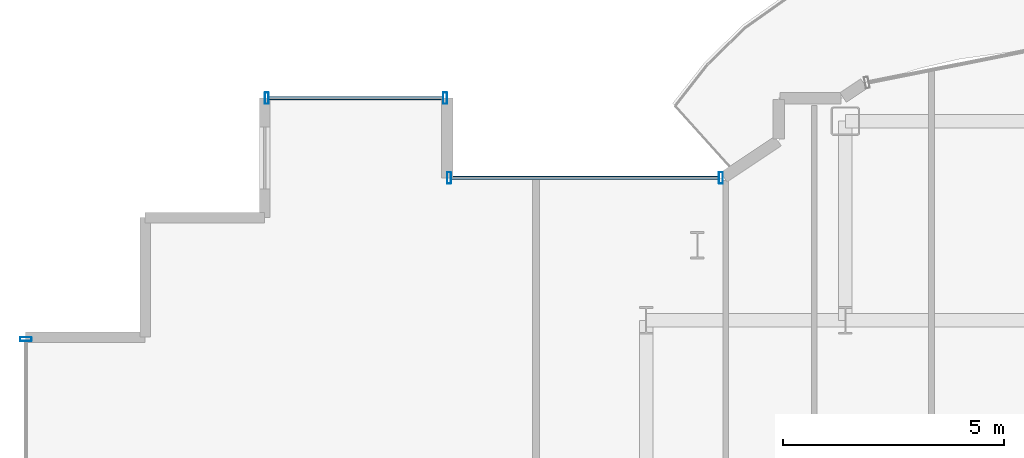
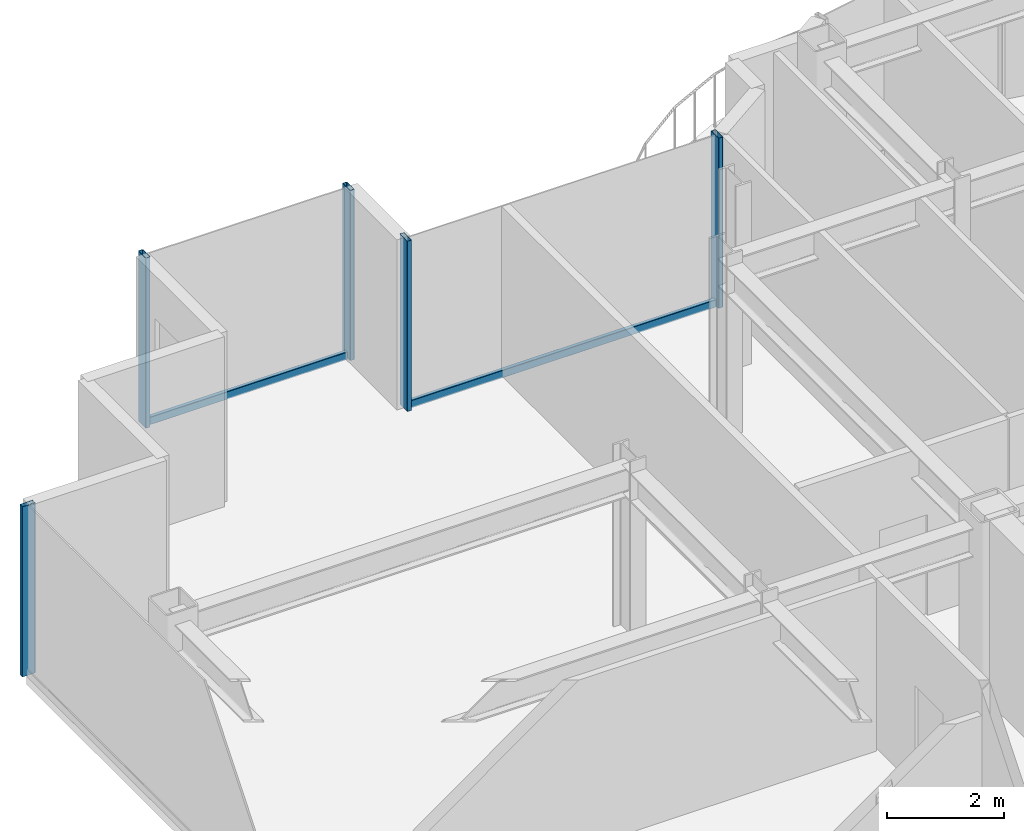
# One storey, part 9 of 18: 7 members, 3 elements without a shape of their own.
"""IFC4 building model written with IfcOpenShell, lengths in metres."""

from ifc_helpers import new_model, si_unit, direction, frame, origin, origin_2d, place, context, subcontext, project, spatial, hollow_rectangle, extrude, source, transform, mapped, material, layer, layer_set, material_profile, profile_set, type_object, element, aggregate, save


model = new_model("IFC4")

# Units and contexts
model_context = context("Model", 3, precision=1e-05, world=origin(), true_north=direction((0.0, 1.0)))
body_context = subcontext(model_context, "Body", "Model", "MODEL_VIEW")
ifc_project = project(units=[si_unit("LENGTHUNIT", "METRE"), si_unit("AREAUNIT", "SQUARE_METRE"), si_unit("VOLUMEUNIT", "CUBIC_METRE"), si_unit("PLANEANGLEUNIT", "RADIAN"), si_unit("MASSUNIT", "GRAM", prefix="KILO")], contexts=[model_context])

# Site, building, storey
site_placement = place(None, origin())
site = spatial("IfcSite", under=ifc_project, at=site_placement, CompositionType="ELEMENT")
building_placement = place(site_placement, origin())
building = spatial("IfcBuilding", under=site, at=building_placement, Name="Nefas-Gora Pilgrimage Tower", CompositionType="ELEMENT")
storey_placement = place(building_placement, frame((0.0, 0.0, 283.60009765625)))
storey = spatial("IfcBuildingStorey", under=building, at=storey_placement, Name="L71", CompositionType="ELEMENT", Elevation=283.60009765625)

# Curtain wall, members
ifc_material_1 = material(Name="Dark ceramic-fritted solar-control aluminium-glass curtain wall", Category="aluminium")
ifc_layer_1 = layer(ifc_material_1, 0.219970703125)
ifc_layer_set_1 = layer_set([ifc_layer_1], Name="Dark ceramic-fritted solar-control aluminium-glass curtain wall")
curtain_wall_type_1 = type_object("IfcCurtainWallType", Name="CW-SYS-5", PredefinedType="NOTDEFINED", material=ifc_layer_set_1)
curtain_wall_1_placement = place(storey_placement, origin())
curtain_wall_1 = element("IfcCurtainWall", 1, at=curtain_wall_1_placement, inside=storey, type_object=curtain_wall_type_1, Name="L71 Unitised Curtain Wall CW5", PredefinedType="NOTDEFINED")
ifc_material_2 = material(Name="Anodised architectural aluminium", Category="aluminium")
ifc_material_profile_1 = material_profile(ifc_material_2, hollow_rectangle(XDim=0.080078125, YDim=0.159912109375, WallThickness=0.00439453125, InnerFilletRadius=0.00439453125, OuterFilletRadius=0.009033203125, at=origin_2d()), Name="ALU TRANSOM 80x160")
ifc_profile_set_1 = profile_set([ifc_material_profile_1], Name="Anodised architectural aluminium")
member_type_1 = type_object("IfcMemberType", Name="CWM-TRN-5", PredefinedType="USERDEFINED", material=ifc_profile_set_1)
shared_shape_1 = source(origin(), body_context, "Body", "SweptSolid", [
    extrude(hollow_rectangle(XDim=0.080078125, YDim=0.159912109375, WallThickness=0.00439453125, InnerFilletRadius=0.00439453125, OuterFilletRadius=0.009033203125, at=origin_2d()), origin(), (0.0, 0.0, 1.0), 6.052001953125),
])
member_1_placement = place(storey_placement, frame((-9.60791015625, 21.219970703125, 0.0498046875), z_axis=(-1.0, 0.0, 0.0), x_axis=(0.0, -1.0, 0.0)))
member_1 = element("IfcMember", 2, at=member_1_placement, type_object=member_type_1, Name="CW5 Spandrel Transom", ObjectType="TRANSOM", PredefinedType="USERDEFINED", context=body_context, shape_type="MappedRepresentation", body=[
    mapped(shared_shape_1, transform((0.0, 0.0, 0.0), x_axis=(1.0, 0.0, 0.0), y_axis=(0.0, 1.0, 0.0), z_axis=(0.0, 0.0, 1.0), scale=1.0)),
])
ifc_material_profile_2 = material_profile(ifc_material_2, hollow_rectangle(XDim=0.090087890625, YDim=0.260009765625, WallThickness=0.006103515625, InnerFilletRadius=0.006103515625, OuterFilletRadius=0.011962890625, at=origin_2d()), Name="ALU MULLION 90x260")
ifc_profile_set_2 = profile_set([ifc_material_profile_2], Name="Anodised architectural aluminium")
member_type_2 = type_object("IfcMemberType", Name="CWM-MUL-5", PredefinedType="MULLION", material=ifc_profile_set_2)
shared_shape_2 = source(origin(), body_context, "Body", "SweptSolid", [
    extrude(hollow_rectangle(XDim=0.090087890625, YDim=0.260009765625, WallThickness=0.006103515625, InnerFilletRadius=0.006103515625, OuterFilletRadius=0.011962890625, at=origin_2d()), origin(), (0.0, 0.0, 1.0), 3.5498046875),
])
member_2_placement = place(storey_placement, frame((-9.56298828125, 21.219970703125, 0.0), z_axis=(0.0, 0.0, 1.0), x_axis=(-1.0, 0.0, 0.0)))
member_2 = element("IfcMember", 3, at=member_2_placement, type_object=member_type_2, Name="CW5 Mullion 1", PredefinedType="MULLION", context=body_context, shape_type="MappedRepresentation", body=[
    mapped(shared_shape_2, transform((0.0, 0.0, 0.0), x_axis=(1.0, 0.0, 0.0), y_axis=(0.0, 1.0, 0.0), z_axis=(0.0, 0.0, 1.0), scale=1.0)),
])
member_3_placement = place(storey_placement, frame((-15.705078125, 21.219970703125, 0.0), z_axis=(0.0, 0.0, 1.0), x_axis=(-1.0, 0.0, 0.0)))
member_3 = element("IfcMember", 4, at=member_3_placement, type_object=member_type_2, Name="CW5 Mullion 2", PredefinedType="MULLION", context=body_context, shape_type="MappedRepresentation", body=[
    mapped(shared_shape_2, transform((0.0, 0.0, 0.0), x_axis=(1.0, 0.0, 0.0), y_axis=(0.0, 1.0, 0.0), z_axis=(0.0, 0.0, 1.0), scale=1.0)),
])
aggregate(curtain_wall_1, [member_2, member_3, member_1])

ifc_layer_2 = layer(ifc_material_1, 0.219970703125)
ifc_layer_set_2 = layer_set([ifc_layer_2], Name="Dark ceramic-fritted solar-control aluminium-glass curtain wall")
curtain_wall_type_2 = type_object("IfcCurtainWallType", Name="CW-SYS-4", PredefinedType="NOTDEFINED", material=ifc_layer_set_2)
curtain_wall_2_placement = place(storey_placement, origin())
curtain_wall_2 = element("IfcCurtainWall", 5, at=curtain_wall_2_placement, inside=storey, type_object=curtain_wall_type_2, Name="L71 Unitised Curtain Wall CW4", PredefinedType="NOTDEFINED")
ifc_material_profile_3 = material_profile(ifc_material_2, hollow_rectangle(XDim=0.090087890625, YDim=0.260009765625, WallThickness=0.006103515625, InnerFilletRadius=0.006103515625, OuterFilletRadius=0.011962890625, at=origin_2d()), Name="ALU MULLION 90x260")
ifc_profile_set_3 = profile_set([ifc_material_profile_3], Name="Anodised architectural aluminium")
member_type_3 = type_object("IfcMemberType", Name="CWM-MUL-4", PredefinedType="MULLION", material=ifc_profile_set_3)
shared_shape_3 = source(origin(), body_context, "Body", "SweptSolid", [
    extrude(hollow_rectangle(XDim=0.090087890625, YDim=0.260009765625, WallThickness=0.006103515625, InnerFilletRadius=0.006103515625, OuterFilletRadius=0.011962890625, at=origin_2d()), origin(), (0.0, 0.0, 1.0), 3.5498046875),
])
member_4_placement = place(storey_placement, frame((-15.794921875, 23.02001953125, 0.0), z_axis=(0.0, 0.0, 1.0), x_axis=(-1.0, 0.0, 0.0)))
member_4 = element("IfcMember", 6, at=member_4_placement, type_object=member_type_3, Name="CW4 Mullion 1", PredefinedType="MULLION", context=body_context, shape_type="MappedRepresentation", body=[
    mapped(shared_shape_3, transform((0.0, 0.0, 0.0), x_axis=(1.0, 0.0, 0.0), y_axis=(0.0, 1.0, 0.0), z_axis=(0.0, 0.0, 1.0), scale=1.0)),
])
member_5_placement = place(storey_placement, frame((-19.824951171875, 23.02001953125, 0.0), z_axis=(0.0, 0.0, 1.0), x_axis=(-1.0, 0.0, 0.0)))
member_5 = element("IfcMember", 7, at=member_5_placement, type_object=member_type_3, Name="CW4 Mullion 2", PredefinedType="MULLION", context=body_context, shape_type="MappedRepresentation", body=[
    mapped(shared_shape_3, transform((0.0, 0.0, 0.0), x_axis=(1.0, 0.0, 0.0), y_axis=(0.0, 1.0, 0.0), z_axis=(0.0, 0.0, 1.0), scale=1.0)),
])

# Curtain wall, member
curtain_wall_3_placement = place(storey_placement, origin())
curtain_wall_3 = element("IfcCurtainWall", 8, at=curtain_wall_3_placement, inside=storey, type_object=curtain_wall_type_2, Name="L71 Unitised Curtain Wall CW4", PredefinedType="NOTDEFINED")
member_6_placement = place(storey_placement, frame((-25.27001953125, 17.574951171875, 0.0), z_axis=(0.0, 0.0, 1.0), x_axis=(0.0, -1.0, 0.0)))
member_6 = element("IfcMember", 9, at=member_6_placement, type_object=member_type_3, Name="CW4 Mullion 1", PredefinedType="MULLION", context=body_context, shape_type="MappedRepresentation", body=[
    mapped(shared_shape_3, transform((0.0, 0.0, 0.0), x_axis=(1.0, 0.0, 0.0), y_axis=(0.0, 1.0, 0.0), z_axis=(0.0, 0.0, 1.0), scale=1.0)),
])
aggregate(curtain_wall_3, [member_6])

# Member
ifc_material_profile_4 = material_profile(ifc_material_2, hollow_rectangle(XDim=0.080078125, YDim=0.159912109375, WallThickness=0.00439453125, InnerFilletRadius=0.00439453125, OuterFilletRadius=0.009033203125, at=origin_2d()), Name="ALU TRANSOM 80x160")
ifc_profile_set_4 = profile_set([ifc_material_profile_4], Name="Anodised architectural aluminium")
member_type_4 = type_object("IfcMemberType", Name="CWM-TRN-4", PredefinedType="USERDEFINED", material=ifc_profile_set_4)
shared_shape_4 = source(origin(), body_context, "Body", "SweptSolid", [
    extrude(hollow_rectangle(XDim=0.080078125, YDim=0.159912109375, WallThickness=0.00439453125, InnerFilletRadius=0.00439453125, OuterFilletRadius=0.009033203125, at=origin_2d()), origin(), (0.0, 0.0, 1.0), 3.93994140625),
])
member_7_placement = place(storey_placement, frame((-15.840087890625, 23.02001953125, 0.0498046875), z_axis=(-1.0, 0.0, 0.0), x_axis=(0.0, -1.0, 0.0)))
member_7 = element("IfcMember", 10, at=member_7_placement, type_object=member_type_4, Name="CW4 Spandrel Transom", ObjectType="TRANSOM", PredefinedType="USERDEFINED", context=body_context, shape_type="MappedRepresentation", body=[
    mapped(shared_shape_4, transform((0.0, 0.0, 0.0), x_axis=(1.0, 0.0, 0.0), y_axis=(0.0, 1.0, 0.0), z_axis=(0.0, 0.0, 1.0), scale=1.0)),
])

aggregate(curtain_wall_2, [member_4, member_5, member_7])

save(model, "model.ifc")
